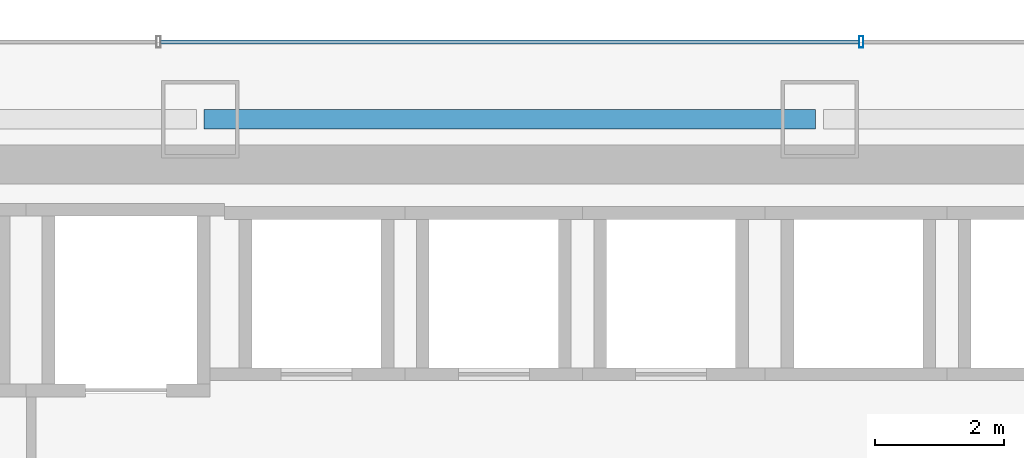
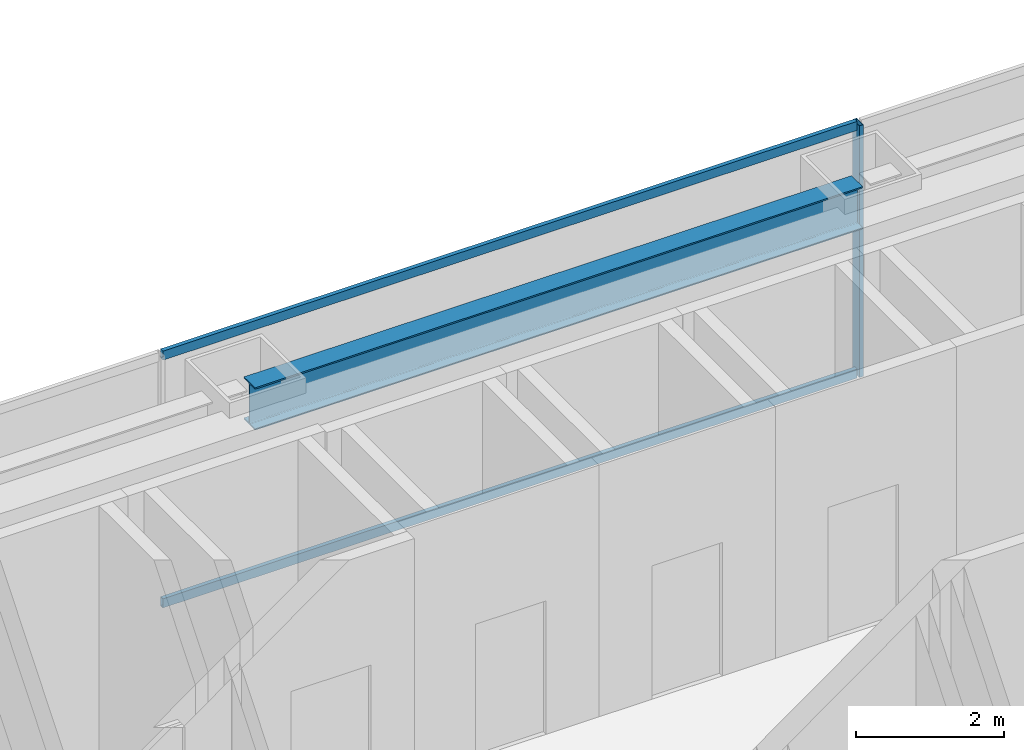
# One storey, part 28 of 47: 3 members, 1 beam, 1 element without a shape of its own.
"""IFC4 building model written with IfcOpenShell, lengths in metres."""

import ifcopenshell
import ifcopenshell.guid

model = None  # the IFC model being written
_history = None  # IfcOwnerHistory: only IFC2X3 demands one
_inside = {}  # id of a spatial element -> (the spatial element, [elements in it])
_under = {}  # id of a project, library or spatial element -> (it, [spatial elements below it])
_declared = {}  # id of a project -> (the project, [libraries it declares])
_typed = {}  # id of a type object -> (the type object, [elements of that type])
_made_of = {}  # id of a material, layer set ... -> (it, [elements and type objects made of it])


def new_model(schema):
    """Start an empty IFC model of exactly this schema.

    Asked for "IFC4X3", IfcOpenShell would pick the latest addendum, in which some entities
    have other attributes; the version numbers below select the first issue.
    IFC2X3 requires an IfcOwnerHistory on every rooted entity: one is made here for all.
    """
    global model, _history
    if schema == "IFC4X3":
        model = ifcopenshell.file(schema_version=(4, 3, 0, 0))
    else:
        model = ifcopenshell.file(schema=schema)
    _inside.clear()
    _under.clear()
    _declared.clear()
    _typed.clear()
    _made_of.clear()
    _history = None
    if model.schema == "IFC2X3":
        org = make("IfcOrganization", Name="unknown")
        user = make(
            "IfcPersonAndOrganization",
            ThePerson=make("IfcPerson", FamilyName="unknown"),
            TheOrganization=org,
        )
        app = make(
            "IfcApplication",
            ApplicationDeveloper=org,
            Version="unknown",
            ApplicationFullName="unknown",
            ApplicationIdentifier="unknown",
        )
        _history = make(
            "IfcOwnerHistory",
            OwningUser=user,
            OwningApplication=app,
            ChangeAction="ADDED",
            CreationDate=0,
        )
    return model


def make(cls, **values):
    """One entity of the class cls with the attributes given. An attribute that is None is left unset."""
    return model.create_entity(
        cls, **{name: value for name, value in values.items() if value is not None}
    )


def rooted(cls, **values):
    """An entity with a GlobalId (a new one), such as an element, a storey or a relation."""
    return make(cls, GlobalId=ifcopenshell.guid.new(), OwnerHistory=_history, **values)


def si_unit(unit_type, name, prefix=None):
    """IfcSIUnit, for example si_unit("LENGTHUNIT", "METRE", prefix="MILLI")."""
    return make("IfcSIUnit", UnitType=unit_type, Prefix=prefix, Name=name)


def assignment(units):
    """IfcUnitAssignment: the units of a project."""
    return None if units is None else make("IfcUnitAssignment", Units=units)


def point(xyz):
    """IfcCartesianPoint."""
    return None if xyz is None else make("IfcCartesianPoint", Coordinates=xyz)


def direction(xyz):
    """IfcDirection."""
    return None if xyz is None else make("IfcDirection", DirectionRatios=xyz)


def frame(location, z_axis=None, x_axis=None):
    """IfcAxis2Placement3D, a coordinate frame: its origin and axes. An axis left out is left unset."""
    return make(
        "IfcAxis2Placement3D",
        Location=point(location),
        Axis=direction(z_axis),
        RefDirection=direction(x_axis),
    )


def frame_2d(location, x_axis=None):
    """IfcAxis2Placement2D, a coordinate frame in the plane: its origin and x axis."""
    return make(
        "IfcAxis2Placement2D", Location=point(location), RefDirection=direction(x_axis)
    )


def origin():
    """The frame at (0, 0, 0) with its axes left unset."""
    return frame((0.0, 0.0, 0.0))


def origin_2d():
    """The frame at (0, 0) in the plane with its x axis left unset."""
    return frame_2d((0.0, 0.0))


def place(relative_to, where):
    """IfcLocalPlacement: puts the frame where relative to a parent placement (None: the world)."""
    return make(
        "IfcLocalPlacement", PlacementRelTo=relative_to, RelativePlacement=where
    )


def context(
    kind, dimensions, precision=None, world=None, true_north=None, identifier=None
):
    """IfcGeometricRepresentationContext, for example the 3D "Model" context."""
    return make(
        "IfcGeometricRepresentationContext",
        ContextIdentifier=identifier,
        ContextType=kind,
        CoordinateSpaceDimension=dimensions,
        Precision=precision,
        WorldCoordinateSystem=world,
        TrueNorth=true_north,
    )


def subcontext(parent, identifier, kind, view, scale=None):
    """IfcGeometricRepresentationSubContext, for example "Body" below "Model"."""
    return make(
        "IfcGeometricRepresentationSubContext",
        ContextIdentifier=identifier,
        ContextType=kind,
        ParentContext=parent,
        TargetScale=scale,
        TargetView=view,
    )


def project(units=None, contexts=None):
    """IfcProject with its units and contexts."""
    return rooted(
        "IfcProject",
        Name="project",
        RepresentationContexts=contexts,
        UnitsInContext=assignment(units),
    )


def spatial(cls, under=None, at=None, **own):
    """A site, building, storey or space (cls), placed at a placement, below another one or the project."""
    s = rooted(cls, ObjectPlacement=at, **own)
    if under is not None:
        _under.setdefault(under.id(), (under, []))[1].append(s)
    return s


def profile(cls, at=None, kind="AREA", **sizes):
    """A parametric profile (cls). Its sizes go by their IFC names, for example OverallWidth=200.0."""
    return make(cls, ProfileType=kind, Position=at, **sizes)


def hollow_rectangle(**sizes):
    """IfcRectangleHollowProfileDef."""
    return profile("IfcRectangleHollowProfileDef", **sizes)


def i_section(**sizes):
    """IfcIShapeProfileDef."""
    return profile("IfcIShapeProfileDef", **sizes)


def extrude(swept, where, along, depth):
    """IfcExtrudedAreaSolid: the profile swept, set in the frame where, extruded along a direction by depth."""
    return make(
        "IfcExtrudedAreaSolid",
        SweptArea=swept,
        Position=where,
        ExtrudedDirection=direction(along),
        Depth=depth,
    )


def shape(context_of_items, identifier, shape_type, items):
    """IfcShapeRepresentation: the items that make up one representation, for example the "Body"."""
    return make(
        "IfcShapeRepresentation",
        ContextOfItems=context_of_items,
        RepresentationIdentifier=identifier,
        RepresentationType=shape_type,
        Items=items,
    )


def material(Name=None, Category=None):
    """IfcMaterial."""
    return make("IfcMaterial", Name=Name, Category=Category)


def material_profile(
    of_material, cross_section, Name=None, Category=None, Priority=None
):
    """IfcMaterialProfile: a cross section and its material."""
    return make(
        "IfcMaterialProfile",
        Name=Name,
        Material=of_material,
        Profile=cross_section,
        Priority=Priority,
        Category=Category,
    )


def profile_set(profiles, Name=None, composite=None):
    """IfcMaterialProfileSet."""
    return make(
        "IfcMaterialProfileSet",
        Name=Name,
        MaterialProfiles=profiles,
        CompositeProfile=composite,
    )


def made_of(thing, what):
    """Note that an element or type object is made of a material, layer set ...; save() writes the relation."""
    if what is not None:
        _made_of.setdefault(what.id(), (what, []))[1].append(thing)
    return thing


def type_object(cls, material=None, **own):
    """A type object (cls), such as IfcWallType, which elements share."""
    return made_of(rooted(cls, **own), material)


def element(
    cls,
    number,
    at=None,
    inside=None,
    cuts=None,
    type_object=None,
    material=None,
    context=None,
    identifier="Body",
    shape_type=None,
    held_by="IfcProductDefinitionShape",
    body=None,
    shapes=None,
    **own,
):
    """One element of the class cls, such as IfcWall. Its Tag is "e" and its number.

    at: its placement. inside: the storey or other place that contains it. cuts: it is an
    opening in that element (IfcRelVoidsElement). A single representation is given by context,
    identifier, shape_type and body (its items); several are given by shapes. held_by: the class
    of the entity that holds the representations. save() writes the other relations.
    """
    e = rooted(cls, Tag="e%d" % number, ObjectPlacement=at, **own)
    if body is not None:
        shapes = [shape(context, identifier, shape_type, body)]
    if shapes is not None:
        e.Representation = make(held_by, Representations=shapes)
    if inside is not None:
        _inside.setdefault(inside.id(), (inside, []))[1].append(e)
    if cuts is not None:
        rooted(
            "IfcRelVoidsElement", RelatingBuildingElement=cuts, RelatedOpeningElement=e
        )
    if type_object is not None:
        _typed.setdefault(type_object.id(), (type_object, []))[1].append(e)
    return made_of(e, material)


def aggregate(whole, parts):
    """IfcRelAggregates: a whole, such as a stair, and the parts it consists of."""
    return rooted("IfcRelAggregates", RelatingObject=whole, RelatedObjects=parts)


def save(model, path):
    """Write the relations noted so far, then the file.

    IfcRelAggregates (storeys below a building ...), IfcRelContainedInSpatialStructure (elements
    in a storey), IfcRelDefinesByType, IfcRelAssociatesMaterial and IfcRelDeclares: one each for
    every whole, place, type object, material and project.
    """
    for whole, parts in _under.values():
        aggregate(whole, parts)
    for where, things in _inside.values():
        rooted(
            "IfcRelContainedInSpatialStructure",
            RelatedElements=things,
            RelatingStructure=where,
        )
    for kind, things in _typed.values():
        rooted("IfcRelDefinesByType", RelatedObjects=things, RelatingType=kind)
    for what, things in _made_of.values():
        rooted("IfcRelAssociatesMaterial", RelatedObjects=things, RelatingMaterial=what)
    for by, libraries in _declared.values():
        rooted("IfcRelDeclares", RelatingContext=by, RelatedDefinitions=libraries)
    model.write(path)


model = new_model("IFC4")

# Units and contexts
model_context = context("Model", 3, precision=1e-05, world=origin(), true_north=direction((0.0, 1.0)))
body_context = subcontext(model_context, "Body", "Model", "MODEL_VIEW")
ifc_project = project(units=[si_unit("LENGTHUNIT", "METRE"), si_unit("AREAUNIT", "SQUARE_METRE"), si_unit("VOLUMEUNIT", "CUBIC_METRE"), si_unit("PLANEANGLEUNIT", "RADIAN"), si_unit("MASSUNIT", "GRAM", prefix="KILO")], contexts=[model_context])

# Site, building, storey
site_placement = place(None, origin())
site = spatial("IfcSite", under=ifc_project, at=site_placement, CompositionType="ELEMENT")
building_placement = place(site_placement, origin())
building = spatial("IfcBuilding", under=site, at=building_placement, Name="Saevonmaru Cultural Tower", CompositionType="ELEMENT")
storey_placement = place(building_placement, frame((0.0, 0.0, 47.199951171875)))
storey = spatial("IfcBuildingStorey", under=building, at=storey_placement, Name="L09", CompositionType="ELEMENT", Elevation=47.199951171875)

# Beam
ifc_material_1 = material(Name="Steel SM355", Category="steel")
ifc_material_profile_1 = material_profile(ifc_material_1, i_section(OverallWidth=0.300048828125, OverallDepth=0.699951171875, WebThickness=0.012939453125, FlangeThickness=0.02392578125, FilletRadius=0.02587890625, at=origin_2d()), Name="H-700x300x13x24")
ifc_profile_set_1 = profile_set([ifc_material_profile_1], Name="Steel SM355")
beam_type = type_object("IfcBeamType", Name="BM-SP-H700", PredefinedType="SPANDREL", material=ifc_profile_set_1)
beam_placement = place(storey_placement, frame((25.260009765625, 54.800048828125, 3.800048828125), z_axis=(1.0, 0.0, 0.0), x_axis=(0.0, 1.0, 0.0)))
element("IfcBeam", 1, at=beam_placement, inside=storey, type_object=beam_type, Name="L09 North Spine Girder 3", PredefinedType="SPANDREL", context=body_context, shape_type="SweptSolid", body=[
    extrude(i_section(OverallWidth=0.300048828125, OverallDepth=0.699951171875, WebThickness=0.012939453125, FlangeThickness=0.02392578125, FilletRadius=0.02587890625, at=origin_2d()), origin(), (0.0, 0.0, 1.0), 9.47998046875),
])

# Curtain wall, members
ifc_material_2 = material(Name="Satin Bronze Anodised Aluminium", Category="aluminium")
curtain_wall_type = type_object("IfcCurtainWallType", Name="CW-TYP-A", PredefinedType="NOTDEFINED", material=ifc_material_2)
curtain_wall_placement = place(storey_placement, origin())
curtain_wall = element("IfcCurtainWall", 2, at=curtain_wall_placement, inside=storey, type_object=curtain_wall_type, Name="L09 North Spine Unitised Curtain Wall E10B", PredefinedType="NOTDEFINED")
ifc_material_profile_2 = material_profile(ifc_material_2, hollow_rectangle(XDim=0.06494140625, YDim=0.179931640625, WallThickness=0.00390625, at=origin_2d()), Name="ALU-MULL-180x65x4")
ifc_profile_set_2 = profile_set([ifc_material_profile_2], Name="Satin Bronze Anodised Aluminium")
member_type_1 = type_object("IfcMemberType", Name="ML-CW-180x65", PredefinedType="MULLION", material=ifc_profile_set_2)
member_1_placement = place(storey_placement, frame((35.44677734375, 56.0, 0.0), z_axis=(0.0, 0.0, 1.0), x_axis=(-1.0, 0.0, 0.0)))
member_1 = element("IfcMember", 3, at=member_1_placement, type_object=member_type_1, Name="CW-TW-L09-E10B mullion 2", PredefinedType="MULLION", context=body_context, shape_type="SweptSolid", body=[
    extrude(hollow_rectangle(XDim=0.06494140625, YDim=0.179931640625, WallThickness=0.00390625, at=origin_2d()), origin(), (0.0, 0.0, 1.0), 4.150146484375),
])
ifc_material_profile_3 = material_profile(ifc_material_2, hollow_rectangle(XDim=0.06494140625, YDim=0.14990234375, WallThickness=0.00390625, at=origin_2d()), Name="ALU-TRAN-150x65x4")
ifc_profile_set_3 = profile_set([ifc_material_profile_3], Name="Satin Bronze Anodised Aluminium")
member_type_2 = type_object("IfcMemberType", Name="TR-CW-150x65", PredefinedType="USERDEFINED", material=ifc_profile_set_3)
member_2_placement = place(storey_placement, frame((35.4140625, 56.0, 0.032470703125), z_axis=(-1.0, 0.0, 0.0), x_axis=(0.0, -1.0, 0.0)))
member_2 = element("IfcMember", 4, at=member_2_placement, type_object=member_type_2, Name="CW-TW-L09-E10B transom 2.1", ObjectType="TRANSOM", PredefinedType="USERDEFINED", context=body_context, shape_type="SweptSolid", body=[
    extrude(hollow_rectangle(XDim=0.06494140625, YDim=0.14990234375, WallThickness=0.00390625, at=origin_2d()), origin(), (0.0, 0.0, 1.0), 10.828125),
])
member_3_placement = place(storey_placement, frame((35.4140625, 56.0, 4.117431640625), z_axis=(-1.0, 0.0, 0.0), x_axis=(0.0, -1.0, 0.0)))
member_3 = element("IfcMember", 5, at=member_3_placement, type_object=member_type_2, Name="CW-TW-L09-E10B transom 2.2", ObjectType="TRANSOM", PredefinedType="USERDEFINED", context=body_context, shape_type="SweptSolid", body=[
    extrude(hollow_rectangle(XDim=0.06494140625, YDim=0.14990234375, WallThickness=0.00390625, at=origin_2d()), origin(), (0.0, 0.0, 1.0), 10.828125),
])
aggregate(curtain_wall, [member_1, member_2, member_3])

save(model, "model.ifc")
